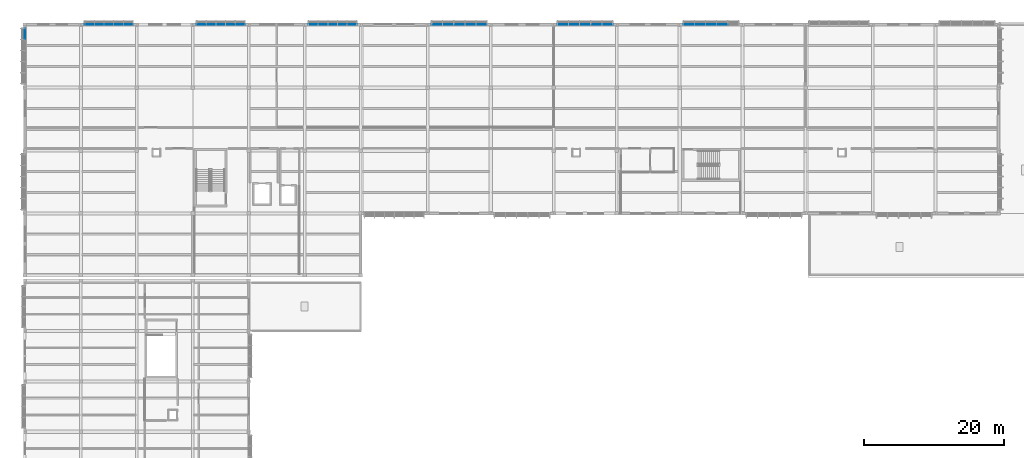
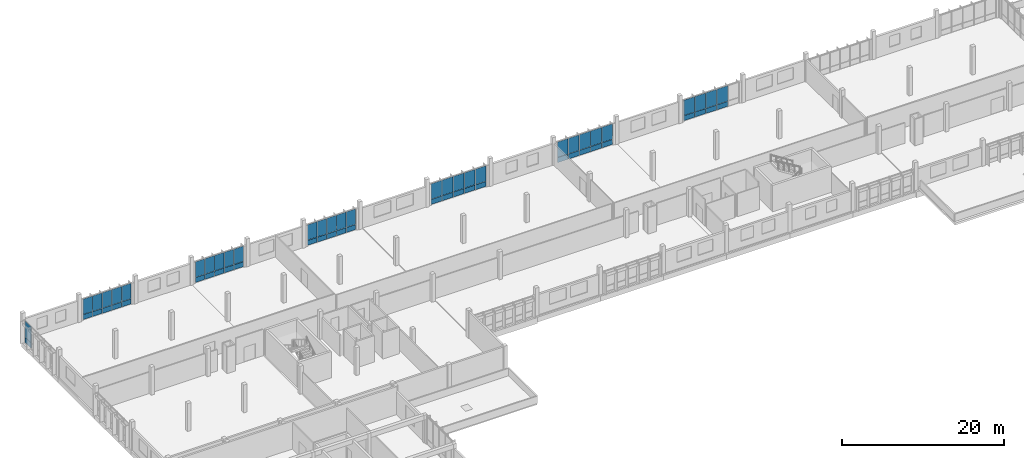
# One storey, part 86 of 107: 60 plates, 7 elements without a shape of their own.
"""IFC4 building model written with IfcOpenShell, lengths in metres."""

from ifc_helpers import new_model, si_unit, direction, frame, origin, origin_2d, place, context, subcontext, project, spatial, rectangle, extrude, material, layer, layer_set, type_object, element, aggregate, save


model = new_model("IFC4")

# Units and contexts
model_context = context("Model", 3, precision=1e-05, world=origin(), true_north=direction((0.0, 1.0)))
body_context = subcontext(model_context, "Body", "Model", "MODEL_VIEW")
ifc_project = project(units=[si_unit("LENGTHUNIT", "METRE"), si_unit("AREAUNIT", "SQUARE_METRE"), si_unit("VOLUMEUNIT", "CUBIC_METRE"), si_unit("PLANEANGLEUNIT", "RADIAN"), si_unit("MASSUNIT", "GRAM", prefix="KILO")], contexts=[model_context])

# Site, building, storey
site_placement = place(None, origin())
site = spatial("IfcSite", under=ifc_project, at=site_placement, CompositionType="ELEMENT")
building_placement = place(site_placement, origin())
building = spatial("IfcBuilding", under=site, at=building_placement, Name="Chiffa Square Polytechnic", CompositionType="ELEMENT")
storey_placement = place(building_placement, frame((0.0, 0.0, 13.800048828125)))
storey = spatial("IfcBuildingStorey", under=building, at=storey_placement, Name="L03", CompositionType="ELEMENT", Elevation=13.800048828125)

# Curtain wall, plates
ifc_material_1 = material(Name="Aluminium EN AW-6060 T66 and glulam shading", Category="wood")
curtain_wall_type_1 = type_object("IfcCurtainWallType", Name="CW-VERT-600X380", PredefinedType="USERDEFINED", material=ifc_material_1)
curtain_wall_1_placement = place(storey_placement, origin())
curtain_wall_1 = element("IfcCurtainWall", 1, at=curtain_wall_1_placement, inside=storey, type_object=curtain_wall_type_1, Name="Curtain wall CW-V5-L03-236", ObjectType="CURTAIN WALL", PredefinedType="USERDEFINED")
ifc_material_2 = material(Name="Double glazing", Category="glass")
ifc_layer_1 = layer(ifc_material_2, 0.035888671875, Name="Double glazing")
ifc_layer_set_1 = layer_set([ifc_layer_1], Name="Double glazing")
plate_type_1 = type_object("IfcPlateType", Name="CWP-GLZ-120X145", PredefinedType="CURTAIN_PANEL", material=ifc_layer_set_1)
plate_1_placement = place(storey_placement, frame((46.757080078125, 130.800048828125, 0.84033203125), z_axis=(0.0, 0.0, 1.0), x_axis=(-1.0, 0.0, 0.0)))
plate_1 = element("IfcPlate", 2, at=plate_1_placement, type_object=plate_type_1, Name="Glazed curtain panel CW-V5-L03-236-PN01", PredefinedType="CURTAIN_PANEL", context=body_context, shape_type="SweptSolid", body=[
    extrude(rectangle(XDim=1.31005859375, YDim=0.035888671875, at=origin_2d()), origin(), (0.0, 0.0, 1.0), 2.304931640625),
])
plate_2_placement = place(storey_placement, frame((45.384033203125, 130.800048828125, 0.84033203125), z_axis=(0.0, 0.0, 1.0), x_axis=(-1.0, 0.0, 0.0)))
plate_2 = element("IfcPlate", 3, at=plate_2_placement, type_object=plate_type_1, Name="Glazed curtain panel CW-V5-L03-236-PN02", PredefinedType="CURTAIN_PANEL", context=body_context, shape_type="SweptSolid", body=[
    extrude(rectangle(XDim=1.33203125, YDim=0.035888671875, at=origin_2d()), origin(), (0.0, 0.0, 1.0), 2.304931640625),
])
plate_3_placement = place(storey_placement, frame((44.0, 130.800048828125, 0.84033203125), z_axis=(0.0, 0.0, 1.0), x_axis=(-1.0, 0.0, 0.0)))
plate_3 = element("IfcPlate", 4, at=plate_3_placement, type_object=plate_type_1, Name="Glazed curtain panel CW-V5-L03-236-PN03", PredefinedType="CURTAIN_PANEL", context=body_context, shape_type="SweptSolid", body=[
    extrude(rectangle(XDim=1.33203125, YDim=0.035888671875, at=origin_2d()), origin(), (0.0, 0.0, 1.0), 2.304931640625),
])
plate_4_placement = place(storey_placement, frame((42.615966796875, 130.800048828125, 0.84033203125), z_axis=(0.0, 0.0, 1.0), x_axis=(-1.0, 0.0, 0.0)))
plate_4 = element("IfcPlate", 5, at=plate_4_placement, type_object=plate_type_1, Name="Glazed curtain panel CW-V5-L03-236-PN04", PredefinedType="CURTAIN_PANEL", context=body_context, shape_type="SweptSolid", body=[
    extrude(rectangle(XDim=1.33203125, YDim=0.035888671875, at=origin_2d()), origin(), (0.0, 0.0, 1.0), 2.304931640625),
])
plate_5_placement = place(storey_placement, frame((41.242919921875, 130.800048828125, 0.84033203125), z_axis=(0.0, 0.0, 1.0), x_axis=(-1.0, 0.0, 0.0)))
plate_5 = element("IfcPlate", 6, at=plate_5_placement, type_object=plate_type_1, Name="Glazed curtain panel CW-V5-L03-236-PN05", PredefinedType="CURTAIN_PANEL", context=body_context, shape_type="SweptSolid", body=[
    extrude(rectangle(XDim=1.31005859375, YDim=0.035888671875, at=origin_2d()), origin(), (0.0, 0.0, 1.0), 2.304931640625),
])

curtain_wall_type_2 = type_object("IfcCurtainWallType", Name="CW-VERT-600X440", PredefinedType="USERDEFINED", material=ifc_material_1)
curtain_wall_2_placement = place(storey_placement, origin())
curtain_wall_2 = element("IfcCurtainWall", 7, at=curtain_wall_2_placement, inside=storey, type_object=curtain_wall_type_2, Name="Curtain wall CW-V5-L03-233", ObjectType="CURTAIN WALL", PredefinedType="USERDEFINED")
ifc_layer_2 = layer(ifc_material_2, 0.0458984375, Name="Double glazing")
ifc_layer_set_2 = layer_set([ifc_layer_2], Name="Double glazing")
plate_type_2 = type_object("IfcPlateType", Name="CWP-GLZ-128X106", PredefinedType="CURTAIN_PANEL", material=ifc_layer_set_2)
plate_6_placement = place(storey_placement, frame((99.68408203125, 130.800048828125, 0.84033203125), z_axis=(0.0, 0.0, 1.0), x_axis=(-1.0, 0.0, 0.0)))
plate_6 = element("IfcPlate", 8, at=plate_6_placement, type_object=plate_type_2, Name="Glazed curtain panel CW-V5-L03-233-PN02", PredefinedType="CURTAIN_PANEL", context=body_context, shape_type="SweptSolid", body=[
    extrude(rectangle(XDim=1.531982421875, YDim=0.0458984375, at=origin_2d()), origin(), (0.0, 0.0, 1.0), 2.304931640625),
])
plate_7_placement = place(storey_placement, frame((98.10009765625, 130.800048828125, 0.84033203125), z_axis=(0.0, 0.0, 1.0), x_axis=(-1.0, 0.0, 0.0)))
plate_7 = element("IfcPlate", 9, at=plate_7_placement, type_object=plate_type_2, Name="Glazed curtain panel CW-V5-L03-233-PN03", PredefinedType="CURTAIN_PANEL", context=body_context, shape_type="SweptSolid", body=[
    extrude(rectangle(XDim=1.531982421875, YDim=0.0458984375, at=origin_2d()), origin(), (0.0, 0.0, 1.0), 2.304931640625),
])
plate_8_placement = place(storey_placement, frame((96.51611328125, 130.800048828125, 0.84033203125), z_axis=(0.0, 0.0, 1.0), x_axis=(-1.0, 0.0, 0.0)))
plate_8 = element("IfcPlate", 10, at=plate_8_placement, type_object=plate_type_2, Name="Glazed curtain panel CW-V5-L03-233-PN04", PredefinedType="CURTAIN_PANEL", context=body_context, shape_type="SweptSolid", body=[
    extrude(rectangle(XDim=1.531982421875, YDim=0.0458984375, at=origin_2d()), origin(), (0.0, 0.0, 1.0), 2.304931640625),
])
plate_9_placement = place(storey_placement, frame((94.943115234375, 130.800048828125, 0.84033203125), z_axis=(0.0, 0.0, 1.0), x_axis=(-1.0, 0.0, 0.0)))
plate_9 = element("IfcPlate", 11, at=plate_9_placement, type_object=plate_type_2, Name="Glazed curtain panel CW-V5-L03-233-PN05", PredefinedType="CURTAIN_PANEL", context=body_context, shape_type="SweptSolid", body=[
    extrude(rectangle(XDim=1.510009765625, YDim=0.0458984375, at=origin_2d()), origin(), (0.0, 0.0, 1.0), 2.304931640625),
])

# Curtain wall, plate
curtain_wall_type_3 = type_object("IfcCurtainWallType", Name="CW-VERT-540X440", PredefinedType="USERDEFINED", material=ifc_material_1)
curtain_wall_3_placement = place(storey_placement, origin())
curtain_wall_3 = element("IfcCurtainWall", 12, at=curtain_wall_3_placement, inside=storey, type_object=curtain_wall_type_3, Name="Curtain wall CW-V5-L03-239", ObjectType="CURTAIN WALL", PredefinedType="USERDEFINED")
ifc_layer_3 = layer(ifc_material_2, 0.0380859375, Name="Double glazing")
ifc_layer_set_3 = layer_set([ifc_layer_3], Name="Double glazing")
plate_type_3 = type_object("IfcPlateType", Name="CWP-GLZ-146X138", PredefinedType="CURTAIN_PANEL", material=ifc_layer_set_3)
plate_10_placement = place(storey_placement, frame((0.0, 129.45703125, 0.84033203125), z_axis=(0.0, 0.0, 1.0), x_axis=(0.0, -1.0, 0.0)))
plate_10 = element("IfcPlate", 13, at=plate_10_placement, type_object=plate_type_3, Name="Glazed curtain panel CW-V5-L03-239-PN01", PredefinedType="CURTAIN_PANEL", context=body_context, shape_type="SweptSolid", body=[
    extrude(rectangle(XDim=1.510009765625, YDim=0.0380859375, at=origin_2d()), origin(), (0.0, 0.0, 1.0), 2.405029296875),
])

# Curtain wall, plates
curtain_wall_type_4 = type_object("IfcCurtainWallType", Name="CW-VERT-480X380", PredefinedType="USERDEFINED", material=ifc_material_1)
curtain_wall_4_placement = place(storey_placement, origin())
curtain_wall_4 = element("IfcCurtainWall", 14, at=curtain_wall_4_placement, inside=storey, type_object=curtain_wall_type_4, Name="Curtain wall CW-V5-L03-238", ObjectType="CURTAIN WALL", PredefinedType="USERDEFINED")
ifc_layer_4 = layer(ifc_material_2, 0.0380859375, Name="Double glazing")
ifc_layer_set_4 = layer_set([ifc_layer_4], Name="Double glazing")
plate_type_4 = type_object("IfcPlateType", Name="CWP-GLZ-148X142", PredefinedType="CURTAIN_PANEL", material=ifc_layer_set_4)
plate_11_placement = place(storey_placement, frame((14.757080078125, 130.800048828125, 0.84033203125), z_axis=(0.0, 0.0, 1.0), x_axis=(-1.0, 0.0, 0.0)))
plate_11 = element("IfcPlate", 15, at=plate_11_placement, type_object=plate_type_4, Name="Glazed curtain panel CW-V5-L03-238-PN01", PredefinedType="CURTAIN_PANEL", context=body_context, shape_type="SweptSolid", body=[
    extrude(rectangle(XDim=1.31005859375, YDim=0.0380859375, at=origin_2d()), origin(), (0.0, 0.0, 1.0), 2.304931640625),
])
plate_12_placement = place(storey_placement, frame((13.384033203125, 130.800048828125, 0.84033203125), z_axis=(0.0, 0.0, 1.0), x_axis=(-1.0, 0.0, 0.0)))
plate_12 = element("IfcPlate", 16, at=plate_12_placement, type_object=plate_type_4, Name="Glazed curtain panel CW-V5-L03-238-PN02", PredefinedType="CURTAIN_PANEL", context=body_context, shape_type="SweptSolid", body=[
    extrude(rectangle(XDim=1.33203125, YDim=0.0380859375, at=origin_2d()), origin(), (0.0, 0.0, 1.0), 2.304931640625),
])
plate_13_placement = place(storey_placement, frame((12.0, 130.800048828125, 0.84033203125), z_axis=(0.0, 0.0, 1.0), x_axis=(-1.0, 0.0, 0.0)))
plate_13 = element("IfcPlate", 17, at=plate_13_placement, type_object=plate_type_4, Name="Glazed curtain panel CW-V5-L03-238-PN03", PredefinedType="CURTAIN_PANEL", context=body_context, shape_type="SweptSolid", body=[
    extrude(rectangle(XDim=1.33203125, YDim=0.0380859375, at=origin_2d()), origin(), (0.0, 0.0, 1.0), 2.304931640625),
])
plate_14_placement = place(storey_placement, frame((10.615966796875, 130.800048828125, 0.84033203125), z_axis=(0.0, 0.0, 1.0), x_axis=(-1.0, 0.0, 0.0)))
plate_14 = element("IfcPlate", 18, at=plate_14_placement, type_object=plate_type_4, Name="Glazed curtain panel CW-V5-L03-238-PN04", PredefinedType="CURTAIN_PANEL", context=body_context, shape_type="SweptSolid", body=[
    extrude(rectangle(XDim=1.33203125, YDim=0.0380859375, at=origin_2d()), origin(), (0.0, 0.0, 1.0), 2.304931640625),
])
plate_15_placement = place(storey_placement, frame((9.242919921875, 130.800048828125, 0.84033203125), z_axis=(0.0, 0.0, 1.0), x_axis=(-1.0, 0.0, 0.0)))
plate_15 = element("IfcPlate", 19, at=plate_15_placement, type_object=plate_type_4, Name="Glazed curtain panel CW-V5-L03-238-PN05", PredefinedType="CURTAIN_PANEL", context=body_context, shape_type="SweptSolid", body=[
    extrude(rectangle(XDim=1.31005859375, YDim=0.0380859375, at=origin_2d()), origin(), (0.0, 0.0, 1.0), 2.304931640625),
])

curtain_wall_type_5 = type_object("IfcCurtainWallType", Name="CW-VERT-300X380", PredefinedType="USERDEFINED", material=ifc_material_1)
curtain_wall_5_placement = place(storey_placement, origin())
curtain_wall_5 = element("IfcCurtainWall", 20, at=curtain_wall_5_placement, inside=storey, type_object=curtain_wall_type_5, Name="Curtain wall CW-V5-L03-235", ObjectType="CURTAIN WALL", PredefinedType="USERDEFINED")
ifc_layer_5 = layer(ifc_material_2, 0.035888671875, Name="Double glazing")
ifc_layer_set_5 = layer_set([ifc_layer_5], Name="Double glazing")
plate_type_5 = type_object("IfcPlateType", Name="CWP-GLZ-150X125", PredefinedType="CURTAIN_PANEL", material=ifc_layer_set_5)
plate_16_placement = place(storey_placement, frame((65.257080078125, 130.800048828125, 0.84033203125), z_axis=(0.0, 0.0, 1.0), x_axis=(-1.0, 0.0, 0.0)))
plate_16 = element("IfcPlate", 21, at=plate_16_placement, type_object=plate_type_5, Name="Glazed curtain panel CW-V5-L03-235-PN01", PredefinedType="CURTAIN_PANEL", context=body_context, shape_type="SweptSolid", body=[
    extrude(rectangle(XDim=1.510009765625, YDim=0.035888671875, at=origin_2d()), origin(), (0.0, 0.0, 1.0), 2.304931640625),
])
plate_17_placement = place(storey_placement, frame((63.68408203125, 130.800048828125, 0.84033203125), z_axis=(0.0, 0.0, 1.0), x_axis=(-1.0, 0.0, 0.0)))
plate_17 = element("IfcPlate", 22, at=plate_17_placement, type_object=plate_type_5, Name="Glazed curtain panel CW-V5-L03-235-PN02", PredefinedType="CURTAIN_PANEL", context=body_context, shape_type="SweptSolid", body=[
    extrude(rectangle(XDim=1.531982421875, YDim=0.035888671875, at=origin_2d()), origin(), (0.0, 0.0, 1.0), 2.304931640625),
])
plate_18_placement = place(storey_placement, frame((62.10009765625, 130.800048828125, 0.84033203125), z_axis=(0.0, 0.0, 1.0), x_axis=(-1.0, 0.0, 0.0)))
plate_18 = element("IfcPlate", 23, at=plate_18_placement, type_object=plate_type_5, Name="Glazed curtain panel CW-V5-L03-235-PN03", PredefinedType="CURTAIN_PANEL", context=body_context, shape_type="SweptSolid", body=[
    extrude(rectangle(XDim=1.531982421875, YDim=0.035888671875, at=origin_2d()), origin(), (0.0, 0.0, 1.0), 2.304931640625),
])
plate_19_placement = place(storey_placement, frame((60.51611328125, 130.800048828125, 0.84033203125), z_axis=(0.0, 0.0, 1.0), x_axis=(-1.0, 0.0, 0.0)))
plate_19 = element("IfcPlate", 24, at=plate_19_placement, type_object=plate_type_5, Name="Glazed curtain panel CW-V5-L03-235-PN04", PredefinedType="CURTAIN_PANEL", context=body_context, shape_type="SweptSolid", body=[
    extrude(rectangle(XDim=1.531982421875, YDim=0.035888671875, at=origin_2d()), origin(), (0.0, 0.0, 1.0), 2.304931640625),
])
plate_20_placement = place(storey_placement, frame((58.943115234375, 130.800048828125, 0.84033203125), z_axis=(0.0, 0.0, 1.0), x_axis=(-1.0, 0.0, 0.0)))
plate_20 = element("IfcPlate", 25, at=plate_20_placement, type_object=plate_type_5, Name="Glazed curtain panel CW-V5-L03-235-PN05", PredefinedType="CURTAIN_PANEL", context=body_context, shape_type="SweptSolid", body=[
    extrude(rectangle(XDim=1.510009765625, YDim=0.035888671875, at=origin_2d()), origin(), (0.0, 0.0, 1.0), 2.304931640625),
])

curtain_wall_type_6 = type_object("IfcCurtainWallType", Name="CW-VERT-450X380", PredefinedType="USERDEFINED", material=ifc_material_1)
curtain_wall_6_placement = place(storey_placement, origin())
curtain_wall_6 = element("IfcCurtainWall", 26, at=curtain_wall_6_placement, inside=storey, type_object=curtain_wall_type_6, Name="Curtain wall CW-V5-L03-234", ObjectType="CURTAIN WALL", PredefinedType="USERDEFINED")
ifc_layer_6 = layer(ifc_material_2, 0.035888671875, Name="Double glazing")
ifc_layer_set_6 = layer_set([ifc_layer_6], Name="Double glazing")
plate_type_6 = type_object("IfcPlateType", Name="CWP-GLZ-150X145", PredefinedType="CURTAIN_PANEL", material=ifc_layer_set_6)
plate_21_placement = place(storey_placement, frame((83.257080078125, 130.800048828125, 0.84033203125), z_axis=(0.0, 0.0, 1.0), x_axis=(-1.0, 0.0, 0.0)))
plate_21 = element("IfcPlate", 27, at=plate_21_placement, type_object=plate_type_6, Name="Glazed curtain panel CW-V5-L03-234-PN01", PredefinedType="CURTAIN_PANEL", context=body_context, shape_type="SweptSolid", body=[
    extrude(rectangle(XDim=1.510009765625, YDim=0.035888671875, at=origin_2d()), origin(), (0.0, 0.0, 1.0), 2.304931640625),
])
plate_22_placement = place(storey_placement, frame((81.68408203125, 130.800048828125, 0.84033203125), z_axis=(0.0, 0.0, 1.0), x_axis=(-1.0, 0.0, 0.0)))
plate_22 = element("IfcPlate", 28, at=plate_22_placement, type_object=plate_type_6, Name="Glazed curtain panel CW-V5-L03-234-PN02", PredefinedType="CURTAIN_PANEL", context=body_context, shape_type="SweptSolid", body=[
    extrude(rectangle(XDim=1.531982421875, YDim=0.035888671875, at=origin_2d()), origin(), (0.0, 0.0, 1.0), 2.304931640625),
])
plate_23_placement = place(storey_placement, frame((80.10009765625, 130.800048828125, 0.84033203125), z_axis=(0.0, 0.0, 1.0), x_axis=(-1.0, 0.0, 0.0)))
plate_23 = element("IfcPlate", 29, at=plate_23_placement, type_object=plate_type_6, Name="Glazed curtain panel CW-V5-L03-234-PN03", PredefinedType="CURTAIN_PANEL", context=body_context, shape_type="SweptSolid", body=[
    extrude(rectangle(XDim=1.531982421875, YDim=0.035888671875, at=origin_2d()), origin(), (0.0, 0.0, 1.0), 2.304931640625),
])
plate_24_placement = place(storey_placement, frame((78.51611328125, 130.800048828125, 0.84033203125), z_axis=(0.0, 0.0, 1.0), x_axis=(-1.0, 0.0, 0.0)))
plate_24 = element("IfcPlate", 30, at=plate_24_placement, type_object=plate_type_6, Name="Glazed curtain panel CW-V5-L03-234-PN04", PredefinedType="CURTAIN_PANEL", context=body_context, shape_type="SweptSolid", body=[
    extrude(rectangle(XDim=1.531982421875, YDim=0.035888671875, at=origin_2d()), origin(), (0.0, 0.0, 1.0), 2.304931640625),
])
plate_25_placement = place(storey_placement, frame((76.943115234375, 130.800048828125, 0.84033203125), z_axis=(0.0, 0.0, 1.0), x_axis=(-1.0, 0.0, 0.0)))
plate_25 = element("IfcPlate", 31, at=plate_25_placement, type_object=plate_type_6, Name="Glazed curtain panel CW-V5-L03-234-PN05", PredefinedType="CURTAIN_PANEL", context=body_context, shape_type="SweptSolid", body=[
    extrude(rectangle(XDim=1.510009765625, YDim=0.035888671875, at=origin_2d()), origin(), (0.0, 0.0, 1.0), 2.304931640625),
])

curtain_wall_type_7 = type_object("IfcCurtainWallType", Name="CW-VERT-360X380", PredefinedType="USERDEFINED", material=ifc_material_1)
curtain_wall_7_placement = place(storey_placement, origin())
curtain_wall_7 = element("IfcCurtainWall", 32, at=curtain_wall_7_placement, inside=storey, type_object=curtain_wall_type_7, Name="Curtain wall CW-V5-L03-237", ObjectType="CURTAIN WALL", PredefinedType="USERDEFINED")
ifc_layer_7 = layer(ifc_material_2, 0.035888671875, Name="Double glazing")
ifc_layer_set_7 = layer_set([ifc_layer_7], Name="Double glazing")
plate_type_7 = type_object("IfcPlateType", Name="CWP-GLZ-180X140", PredefinedType="CURTAIN_PANEL", material=ifc_layer_set_7)
plate_26_placement = place(storey_placement, frame((30.757080078125, 130.800048828125, 0.84033203125), z_axis=(0.0, 0.0, 1.0), x_axis=(-1.0, 0.0, 0.0)))
plate_26 = element("IfcPlate", 33, at=plate_26_placement, type_object=plate_type_7, Name="Glazed curtain panel CW-V5-L03-237-PN01", PredefinedType="CURTAIN_PANEL", context=body_context, shape_type="SweptSolid", body=[
    extrude(rectangle(XDim=1.31005859375, YDim=0.035888671875, at=origin_2d()), origin(), (0.0, 0.0, 1.0), 2.304931640625),
])
plate_27_placement = place(storey_placement, frame((29.384033203125, 130.800048828125, 0.84033203125), z_axis=(0.0, 0.0, 1.0), x_axis=(-1.0, 0.0, 0.0)))
plate_27 = element("IfcPlate", 34, at=plate_27_placement, type_object=plate_type_7, Name="Glazed curtain panel CW-V5-L03-237-PN02", PredefinedType="CURTAIN_PANEL", context=body_context, shape_type="SweptSolid", body=[
    extrude(rectangle(XDim=1.33203125, YDim=0.035888671875, at=origin_2d()), origin(), (0.0, 0.0, 1.0), 2.304931640625),
])
plate_28_placement = place(storey_placement, frame((28.0, 130.800048828125, 0.84033203125), z_axis=(0.0, 0.0, 1.0), x_axis=(-1.0, 0.0, 0.0)))
plate_28 = element("IfcPlate", 35, at=plate_28_placement, type_object=plate_type_7, Name="Glazed curtain panel CW-V5-L03-237-PN03", PredefinedType="CURTAIN_PANEL", context=body_context, shape_type="SweptSolid", body=[
    extrude(rectangle(XDim=1.33203125, YDim=0.035888671875, at=origin_2d()), origin(), (0.0, 0.0, 1.0), 2.304931640625),
])
plate_29_placement = place(storey_placement, frame((26.615966796875, 130.800048828125, 0.84033203125), z_axis=(0.0, 0.0, 1.0), x_axis=(-1.0, 0.0, 0.0)))
plate_29 = element("IfcPlate", 36, at=plate_29_placement, type_object=plate_type_7, Name="Glazed curtain panel CW-V5-L03-237-PN04", PredefinedType="CURTAIN_PANEL", context=body_context, shape_type="SweptSolid", body=[
    extrude(rectangle(XDim=1.33203125, YDim=0.035888671875, at=origin_2d()), origin(), (0.0, 0.0, 1.0), 2.304931640625),
])
plate_30_placement = place(storey_placement, frame((25.242919921875, 130.800048828125, 0.84033203125), z_axis=(0.0, 0.0, 1.0), x_axis=(-1.0, 0.0, 0.0)))
plate_30 = element("IfcPlate", 37, at=plate_30_placement, type_object=plate_type_7, Name="Glazed curtain panel CW-V5-L03-237-PN05", PredefinedType="CURTAIN_PANEL", context=body_context, shape_type="SweptSolid", body=[
    extrude(rectangle(XDim=1.31005859375, YDim=0.035888671875, at=origin_2d()), origin(), (0.0, 0.0, 1.0), 2.304931640625),
])
ifc_material_3 = material(Name="Aluminium insulated spandrel", Category="aluminium")
ifc_layer_8 = layer(ifc_material_3, 0.072021484375, Name="Aluminium insulated spandrel")
ifc_layer_set_8 = layer_set([ifc_layer_8], Name="Aluminium insulated spandrel")
plate_type_8 = type_object("IfcPlateType", Name="CWP-SPN-136X072", PredefinedType="SHEET", material=ifc_layer_set_8)
plate_31_placement = place(storey_placement, frame((30.757080078125, 130.800048828125, 0.050048828125), z_axis=(0.0, 0.0, 1.0), x_axis=(-1.0, 0.0, 0.0)))
plate_31 = element("IfcPlate", 38, at=plate_31_placement, type_object=plate_type_8, Name="Spandrel panel CW-V5-L03-237-SP01", PredefinedType="SHEET", context=body_context, shape_type="SweptSolid", body=[
    extrude(rectangle(XDim=1.31005859375, YDim=0.072021484375, at=origin_2d()), origin(), (0.0, 0.0, 1.0), 0.75),
])
plate_32_placement = place(storey_placement, frame((29.384033203125, 130.800048828125, 0.050048828125), z_axis=(0.0, 0.0, 1.0), x_axis=(-1.0, 0.0, 0.0)))
plate_32 = element("IfcPlate", 39, at=plate_32_placement, type_object=plate_type_8, Name="Spandrel panel CW-V5-L03-237-SP02", PredefinedType="SHEET", context=body_context, shape_type="SweptSolid", body=[
    extrude(rectangle(XDim=1.33203125, YDim=0.072021484375, at=origin_2d()), origin(), (0.0, 0.0, 1.0), 0.75),
])
plate_33_placement = place(storey_placement, frame((28.0, 130.800048828125, 0.050048828125), z_axis=(0.0, 0.0, 1.0), x_axis=(-1.0, 0.0, 0.0)))
plate_33 = element("IfcPlate", 40, at=plate_33_placement, type_object=plate_type_8, Name="Spandrel panel CW-V5-L03-237-SP03", PredefinedType="SHEET", context=body_context, shape_type="SweptSolid", body=[
    extrude(rectangle(XDim=1.33203125, YDim=0.072021484375, at=origin_2d()), origin(), (0.0, 0.0, 1.0), 0.75),
])
plate_34_placement = place(storey_placement, frame((26.615966796875, 130.800048828125, 0.050048828125), z_axis=(0.0, 0.0, 1.0), x_axis=(-1.0, 0.0, 0.0)))
plate_34 = element("IfcPlate", 41, at=plate_34_placement, type_object=plate_type_8, Name="Spandrel panel CW-V5-L03-237-SP04", PredefinedType="SHEET", context=body_context, shape_type="SweptSolid", body=[
    extrude(rectangle(XDim=1.33203125, YDim=0.072021484375, at=origin_2d()), origin(), (0.0, 0.0, 1.0), 0.75),
])
plate_35_placement = place(storey_placement, frame((25.242919921875, 130.800048828125, 0.050048828125), z_axis=(0.0, 0.0, 1.0), x_axis=(-1.0, 0.0, 0.0)))
plate_35 = element("IfcPlate", 42, at=plate_35_placement, type_object=plate_type_8, Name="Spandrel panel CW-V5-L03-237-SP05", PredefinedType="SHEET", context=body_context, shape_type="SweptSolid", body=[
    extrude(rectangle(XDim=1.31005859375, YDim=0.072021484375, at=origin_2d()), origin(), (0.0, 0.0, 1.0), 0.75),
])
aggregate(curtain_wall_7, [plate_31, plate_26, plate_32, plate_27, plate_33, plate_28, plate_34, plate_29, plate_35, plate_30])

# Plate
ifc_layer_9 = layer(ifc_material_3, 0.070068359375, Name="Aluminium insulated spandrel")
ifc_layer_set_9 = layer_set([ifc_layer_9], Name="Aluminium insulated spandrel")
plate_type_9 = type_object("IfcPlateType", Name="CWP-SPN-138X074", PredefinedType="SHEET", material=ifc_layer_set_9)
plate_36_placement = place(storey_placement, frame((46.757080078125, 130.800048828125, 0.050048828125), z_axis=(0.0, 0.0, 1.0), x_axis=(-1.0, 0.0, 0.0)))
plate_36 = element("IfcPlate", 43, at=plate_36_placement, type_object=plate_type_9, Name="Spandrel panel CW-V5-L03-236-SP01", PredefinedType="SHEET", context=body_context, shape_type="SweptSolid", body=[
    extrude(rectangle(XDim=1.31005859375, YDim=0.070068359375, at=origin_2d()), origin(), (0.0, 0.0, 1.0), 0.75),
])

plate_37_placement = place(storey_placement, frame((45.384033203125, 130.800048828125, 0.050048828125), z_axis=(0.0, 0.0, 1.0), x_axis=(-1.0, 0.0, 0.0)))
plate_37 = element("IfcPlate", 44, at=plate_37_placement, type_object=plate_type_9, Name="Spandrel panel CW-V5-L03-236-SP02", PredefinedType="SHEET", context=body_context, shape_type="SweptSolid", body=[
    extrude(rectangle(XDim=1.33203125, YDim=0.070068359375, at=origin_2d()), origin(), (0.0, 0.0, 1.0), 0.75),
])

plate_38_placement = place(storey_placement, frame((44.0, 130.800048828125, 0.050048828125), z_axis=(0.0, 0.0, 1.0), x_axis=(-1.0, 0.0, 0.0)))
plate_38 = element("IfcPlate", 45, at=plate_38_placement, type_object=plate_type_9, Name="Spandrel panel CW-V5-L03-236-SP03", PredefinedType="SHEET", context=body_context, shape_type="SweptSolid", body=[
    extrude(rectangle(XDim=1.33203125, YDim=0.070068359375, at=origin_2d()), origin(), (0.0, 0.0, 1.0), 0.75),
])

plate_39_placement = place(storey_placement, frame((42.615966796875, 130.800048828125, 0.050048828125), z_axis=(0.0, 0.0, 1.0), x_axis=(-1.0, 0.0, 0.0)))
plate_39 = element("IfcPlate", 46, at=plate_39_placement, type_object=plate_type_9, Name="Spandrel panel CW-V5-L03-236-SP04", PredefinedType="SHEET", context=body_context, shape_type="SweptSolid", body=[
    extrude(rectangle(XDim=1.33203125, YDim=0.070068359375, at=origin_2d()), origin(), (0.0, 0.0, 1.0), 0.75),
])

plate_40_placement = place(storey_placement, frame((41.242919921875, 130.800048828125, 0.050048828125), z_axis=(0.0, 0.0, 1.0), x_axis=(-1.0, 0.0, 0.0)))
plate_40 = element("IfcPlate", 47, at=plate_40_placement, type_object=plate_type_9, Name="Spandrel panel CW-V5-L03-236-SP05", PredefinedType="SHEET", context=body_context, shape_type="SweptSolid", body=[
    extrude(rectangle(XDim=1.31005859375, YDim=0.070068359375, at=origin_2d()), origin(), (0.0, 0.0, 1.0), 0.75),
])

aggregate(curtain_wall_1, [plate_36, plate_1, plate_37, plate_2, plate_38, plate_3, plate_39, plate_4, plate_40, plate_5])

ifc_layer_10 = layer(ifc_material_3, 0.068115234375, Name="Aluminium insulated spandrel")
ifc_layer_set_10 = layer_set([ifc_layer_10], Name="Aluminium insulated spandrel")
plate_type_10 = type_object("IfcPlateType", Name="CWP-SPN-140X076", PredefinedType="SHEET", material=ifc_layer_set_10)
plate_41_placement = place(storey_placement, frame((65.257080078125, 130.800048828125, 0.050048828125), z_axis=(0.0, 0.0, 1.0), x_axis=(-1.0, 0.0, 0.0)))
plate_41 = element("IfcPlate", 48, at=plate_41_placement, type_object=plate_type_10, Name="Spandrel panel CW-V5-L03-235-SP01", PredefinedType="SHEET", context=body_context, shape_type="SweptSolid", body=[
    extrude(rectangle(XDim=1.510009765625, YDim=0.068115234375, at=origin_2d()), origin(), (0.0, 0.0, 1.0), 0.75),
])

plate_42_placement = place(storey_placement, frame((63.68408203125, 130.800048828125, 0.050048828125), z_axis=(0.0, 0.0, 1.0), x_axis=(-1.0, 0.0, 0.0)))
plate_42 = element("IfcPlate", 49, at=plate_42_placement, type_object=plate_type_10, Name="Spandrel panel CW-V5-L03-235-SP02", PredefinedType="SHEET", context=body_context, shape_type="SweptSolid", body=[
    extrude(rectangle(XDim=1.531982421875, YDim=0.068115234375, at=origin_2d()), origin(), (0.0, 0.0, 1.0), 0.75),
])

plate_43_placement = place(storey_placement, frame((62.10009765625, 130.800048828125, 0.050048828125), z_axis=(0.0, 0.0, 1.0), x_axis=(-1.0, 0.0, 0.0)))
plate_43 = element("IfcPlate", 50, at=plate_43_placement, type_object=plate_type_10, Name="Spandrel panel CW-V5-L03-235-SP03", PredefinedType="SHEET", context=body_context, shape_type="SweptSolid", body=[
    extrude(rectangle(XDim=1.531982421875, YDim=0.068115234375, at=origin_2d()), origin(), (0.0, 0.0, 1.0), 0.75),
])

plate_44_placement = place(storey_placement, frame((60.51611328125, 130.800048828125, 0.050048828125), z_axis=(0.0, 0.0, 1.0), x_axis=(-1.0, 0.0, 0.0)))
plate_44 = element("IfcPlate", 51, at=plate_44_placement, type_object=plate_type_10, Name="Spandrel panel CW-V5-L03-235-SP04", PredefinedType="SHEET", context=body_context, shape_type="SweptSolid", body=[
    extrude(rectangle(XDim=1.531982421875, YDim=0.068115234375, at=origin_2d()), origin(), (0.0, 0.0, 1.0), 0.75),
])

plate_45_placement = place(storey_placement, frame((58.943115234375, 130.800048828125, 0.050048828125), z_axis=(0.0, 0.0, 1.0), x_axis=(-1.0, 0.0, 0.0)))
plate_45 = element("IfcPlate", 52, at=plate_45_placement, type_object=plate_type_10, Name="Spandrel panel CW-V5-L03-235-SP05", PredefinedType="SHEET", context=body_context, shape_type="SweptSolid", body=[
    extrude(rectangle(XDim=1.510009765625, YDim=0.068115234375, at=origin_2d()), origin(), (0.0, 0.0, 1.0), 0.75),
])

aggregate(curtain_wall_5, [plate_41, plate_16, plate_42, plate_17, plate_43, plate_18, plate_44, plate_19, plate_45, plate_20])

ifc_layer_11 = layer(ifc_material_3, 0.06591796875, Name="Aluminium insulated spandrel")
ifc_layer_set_11 = layer_set([ifc_layer_11], Name="Aluminium insulated spandrel")
plate_type_11 = type_object("IfcPlateType", Name="CWP-SPN-144X078", PredefinedType="SHEET", material=ifc_layer_set_11)
plate_46_placement = place(storey_placement, frame((83.257080078125, 130.800048828125, 0.050048828125), z_axis=(0.0, 0.0, 1.0), x_axis=(-1.0, 0.0, 0.0)))
plate_46 = element("IfcPlate", 53, at=plate_46_placement, type_object=plate_type_11, Name="Spandrel panel CW-V5-L03-234-SP01", PredefinedType="SHEET", context=body_context, shape_type="SweptSolid", body=[
    extrude(rectangle(XDim=1.510009765625, YDim=0.06591796875, at=origin_2d()), origin(), (0.0, 0.0, 1.0), 0.75),
])

plate_47_placement = place(storey_placement, frame((81.68408203125, 130.800048828125, 0.050048828125), z_axis=(0.0, 0.0, 1.0), x_axis=(-1.0, 0.0, 0.0)))
plate_47 = element("IfcPlate", 54, at=plate_47_placement, type_object=plate_type_11, Name="Spandrel panel CW-V5-L03-234-SP02", PredefinedType="SHEET", context=body_context, shape_type="SweptSolid", body=[
    extrude(rectangle(XDim=1.531982421875, YDim=0.06591796875, at=origin_2d()), origin(), (0.0, 0.0, 1.0), 0.75),
])

plate_48_placement = place(storey_placement, frame((80.10009765625, 130.800048828125, 0.050048828125), z_axis=(0.0, 0.0, 1.0), x_axis=(-1.0, 0.0, 0.0)))
plate_48 = element("IfcPlate", 55, at=plate_48_placement, type_object=plate_type_11, Name="Spandrel panel CW-V5-L03-234-SP03", PredefinedType="SHEET", context=body_context, shape_type="SweptSolid", body=[
    extrude(rectangle(XDim=1.531982421875, YDim=0.06591796875, at=origin_2d()), origin(), (0.0, 0.0, 1.0), 0.75),
])

plate_49_placement = place(storey_placement, frame((78.51611328125, 130.800048828125, 0.050048828125), z_axis=(0.0, 0.0, 1.0), x_axis=(-1.0, 0.0, 0.0)))
plate_49 = element("IfcPlate", 56, at=plate_49_placement, type_object=plate_type_11, Name="Spandrel panel CW-V5-L03-234-SP04", PredefinedType="SHEET", context=body_context, shape_type="SweptSolid", body=[
    extrude(rectangle(XDim=1.531982421875, YDim=0.06591796875, at=origin_2d()), origin(), (0.0, 0.0, 1.0), 0.75),
])

plate_50_placement = place(storey_placement, frame((76.943115234375, 130.800048828125, 0.050048828125), z_axis=(0.0, 0.0, 1.0), x_axis=(-1.0, 0.0, 0.0)))
plate_50 = element("IfcPlate", 57, at=plate_50_placement, type_object=plate_type_11, Name="Spandrel panel CW-V5-L03-234-SP05", PredefinedType="SHEET", context=body_context, shape_type="SweptSolid", body=[
    extrude(rectangle(XDim=1.510009765625, YDim=0.06591796875, at=origin_2d()), origin(), (0.0, 0.0, 1.0), 0.75),
])

aggregate(curtain_wall_6, [plate_46, plate_21, plate_47, plate_22, plate_48, plate_23, plate_49, plate_24, plate_50, plate_25])

ifc_layer_12 = layer(ifc_material_3, 0.06396484375, Name="Aluminium insulated spandrel")
ifc_layer_set_12 = layer_set([ifc_layer_12], Name="Aluminium insulated spandrel")
plate_type_12 = type_object("IfcPlateType", Name="CWP-SPN-146X082", PredefinedType="SHEET", material=ifc_layer_set_12)
plate_51_placement = place(storey_placement, frame((99.68408203125, 130.800048828125, 0.050048828125), z_axis=(0.0, 0.0, 1.0), x_axis=(-1.0, 0.0, 0.0)))
plate_51 = element("IfcPlate", 58, at=plate_51_placement, type_object=plate_type_12, Name="Spandrel panel CW-V5-L03-233-SP02", PredefinedType="SHEET", context=body_context, shape_type="SweptSolid", body=[
    extrude(rectangle(XDim=1.531982421875, YDim=0.06396484375, at=origin_2d()), origin(), (0.0, 0.0, 1.0), 0.75),
])

plate_52_placement = place(storey_placement, frame((98.10009765625, 130.800048828125, 0.050048828125), z_axis=(0.0, 0.0, 1.0), x_axis=(-1.0, 0.0, 0.0)))
plate_52 = element("IfcPlate", 59, at=plate_52_placement, type_object=plate_type_12, Name="Spandrel panel CW-V5-L03-233-SP03", PredefinedType="SHEET", context=body_context, shape_type="SweptSolid", body=[
    extrude(rectangle(XDim=1.531982421875, YDim=0.06396484375, at=origin_2d()), origin(), (0.0, 0.0, 1.0), 0.75),
])

plate_53_placement = place(storey_placement, frame((96.51611328125, 130.800048828125, 0.050048828125), z_axis=(0.0, 0.0, 1.0), x_axis=(-1.0, 0.0, 0.0)))
plate_53 = element("IfcPlate", 60, at=plate_53_placement, type_object=plate_type_12, Name="Spandrel panel CW-V5-L03-233-SP04", PredefinedType="SHEET", context=body_context, shape_type="SweptSolid", body=[
    extrude(rectangle(XDim=1.531982421875, YDim=0.06396484375, at=origin_2d()), origin(), (0.0, 0.0, 1.0), 0.75),
])

plate_54_placement = place(storey_placement, frame((94.943115234375, 130.800048828125, 0.050048828125), z_axis=(0.0, 0.0, 1.0), x_axis=(-1.0, 0.0, 0.0)))
plate_54 = element("IfcPlate", 61, at=plate_54_placement, type_object=plate_type_12, Name="Spandrel panel CW-V5-L03-233-SP05", PredefinedType="SHEET", context=body_context, shape_type="SweptSolid", body=[
    extrude(rectangle(XDim=1.510009765625, YDim=0.06396484375, at=origin_2d()), origin(), (0.0, 0.0, 1.0), 0.75),
])

aggregate(curtain_wall_2, [plate_51, plate_6, plate_52, plate_7, plate_53, plate_8, plate_54, plate_9])

ifc_layer_13 = layer(ifc_material_3, 0.06005859375, Name="Aluminium insulated spandrel")
ifc_layer_set_13 = layer_set([ifc_layer_13], Name="Aluminium insulated spandrel")
plate_type_13 = type_object("IfcPlateType", Name="CWP-SPN-150X080", PredefinedType="SHEET", material=ifc_layer_set_13)
plate_55_placement = place(storey_placement, frame((0.0, 129.45703125, 0.050048828125), z_axis=(0.0, 0.0, 1.0), x_axis=(0.0, -1.0, 0.0)))
plate_55 = element("IfcPlate", 62, at=plate_55_placement, type_object=plate_type_13, Name="Spandrel panel CW-V5-L03-239-SP01", PredefinedType="SHEET", context=body_context, shape_type="SweptSolid", body=[
    extrude(rectangle(XDim=1.510009765625, YDim=0.06005859375, at=origin_2d()), origin(), (0.0, 0.0, 1.0), 0.75),
])

aggregate(curtain_wall_3, [plate_55, plate_10])

ifc_layer_14 = layer(ifc_material_3, 0.06005859375, Name="Aluminium insulated spandrel")
ifc_layer_set_14 = layer_set([ifc_layer_14], Name="Aluminium insulated spandrel")
plate_type_14 = type_object("IfcPlateType", Name="CWP-SPN-150X095", PredefinedType="SHEET", material=ifc_layer_set_14)
plate_56_placement = place(storey_placement, frame((14.757080078125, 130.800048828125, 0.050048828125), z_axis=(0.0, 0.0, 1.0), x_axis=(-1.0, 0.0, 0.0)))
plate_56 = element("IfcPlate", 63, at=plate_56_placement, type_object=plate_type_14, Name="Spandrel panel CW-V5-L03-238-SP01", PredefinedType="SHEET", context=body_context, shape_type="SweptSolid", body=[
    extrude(rectangle(XDim=1.31005859375, YDim=0.06005859375, at=origin_2d()), origin(), (0.0, 0.0, 1.0), 0.75),
])

plate_57_placement = place(storey_placement, frame((13.384033203125, 130.800048828125, 0.050048828125), z_axis=(0.0, 0.0, 1.0), x_axis=(-1.0, 0.0, 0.0)))
plate_57 = element("IfcPlate", 64, at=plate_57_placement, type_object=plate_type_14, Name="Spandrel panel CW-V5-L03-238-SP02", PredefinedType="SHEET", context=body_context, shape_type="SweptSolid", body=[
    extrude(rectangle(XDim=1.33203125, YDim=0.06005859375, at=origin_2d()), origin(), (0.0, 0.0, 1.0), 0.75),
])

plate_58_placement = place(storey_placement, frame((12.0, 130.800048828125, 0.050048828125), z_axis=(0.0, 0.0, 1.0), x_axis=(-1.0, 0.0, 0.0)))
plate_58 = element("IfcPlate", 65, at=plate_58_placement, type_object=plate_type_14, Name="Spandrel panel CW-V5-L03-238-SP03", PredefinedType="SHEET", context=body_context, shape_type="SweptSolid", body=[
    extrude(rectangle(XDim=1.33203125, YDim=0.06005859375, at=origin_2d()), origin(), (0.0, 0.0, 1.0), 0.75),
])

plate_59_placement = place(storey_placement, frame((10.615966796875, 130.800048828125, 0.050048828125), z_axis=(0.0, 0.0, 1.0), x_axis=(-1.0, 0.0, 0.0)))
plate_59 = element("IfcPlate", 66, at=plate_59_placement, type_object=plate_type_14, Name="Spandrel panel CW-V5-L03-238-SP04", PredefinedType="SHEET", context=body_context, shape_type="SweptSolid", body=[
    extrude(rectangle(XDim=1.33203125, YDim=0.06005859375, at=origin_2d()), origin(), (0.0, 0.0, 1.0), 0.75),
])

plate_60_placement = place(storey_placement, frame((9.242919921875, 130.800048828125, 0.050048828125), z_axis=(0.0, 0.0, 1.0), x_axis=(-1.0, 0.0, 0.0)))
plate_60 = element("IfcPlate", 67, at=plate_60_placement, type_object=plate_type_14, Name="Spandrel panel CW-V5-L03-238-SP05", PredefinedType="SHEET", context=body_context, shape_type="SweptSolid", body=[
    extrude(rectangle(XDim=1.31005859375, YDim=0.06005859375, at=origin_2d()), origin(), (0.0, 0.0, 1.0), 0.75),
])

aggregate(curtain_wall_4, [plate_56, plate_11, plate_57, plate_12, plate_58, plate_13, plate_59, plate_14, plate_60, plate_15])

save(model, "model.ifc")
